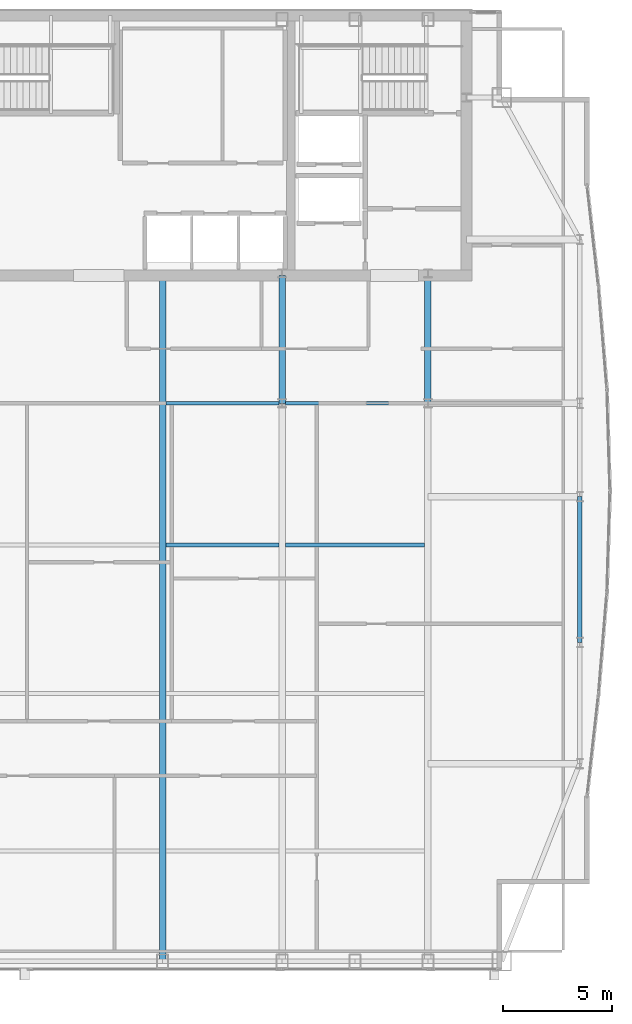
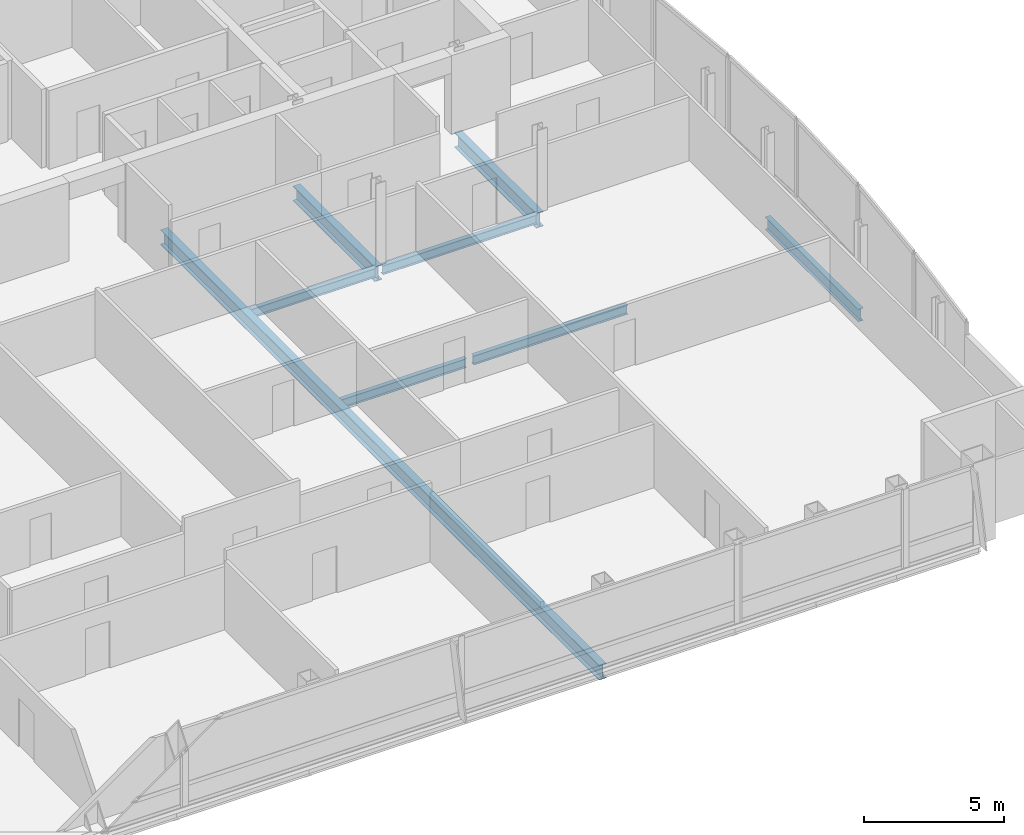
# One storey, part 14 of 25: 8 beams.
"""IFC4 building model written with IfcOpenShell, lengths in metres."""

from ifc_helpers import new_model, si_unit, direction, frame, origin, origin_2d, place, context, subcontext, project, spatial, i_section, extrude, material, material_profile, profile_set, type_object, element, save


model = new_model("IFC4")

# Units and contexts
model_context = context("Model", 3, precision=1e-05, world=origin(), true_north=direction((0.0, 1.0)))
body_context = subcontext(model_context, "Body", "Model", "MODEL_VIEW")
ifc_project = project(units=[si_unit("LENGTHUNIT", "METRE"), si_unit("AREAUNIT", "SQUARE_METRE"), si_unit("VOLUMEUNIT", "CUBIC_METRE"), si_unit("PLANEANGLEUNIT", "RADIAN"), si_unit("MASSUNIT", "GRAM", prefix="KILO")], contexts=[model_context])

# Site, building, storey
site_placement = place(None, origin())
site = spatial("IfcSite", under=ifc_project, at=site_placement, CompositionType="ELEMENT")
building_placement = place(site_placement, origin())
building = spatial("IfcBuilding", under=site, at=building_placement, Name="Khoronbel Lancet Exchange", CompositionType="ELEMENT")
storey_placement = place(building_placement, frame((0.0, 0.0, 295.0)))
storey = spatial("IfcBuildingStorey", under=building, at=storey_placement, Name="L76", CompositionType="ELEMENT", Elevation=295.0)

# Beams
ifc_material = material(Name="Steel S355", Category="steel")
ifc_material_profile_1 = material_profile(ifc_material, i_section(OverallWidth=0.300048828125, OverallDepth=0.64990234375, WebThickness=0.01611328125, FlangeThickness=0.031005859375, at=origin_2d()), Name="HEB 650")
ifc_profile_set_1 = profile_set([ifc_material_profile_1], Name="Steel S355")
beam_type_1 = type_object("IfcBeamType", Name="BM-BG4", PredefinedType="BEAM", material=ifc_profile_set_1)
beam_1_placement = place(storey_placement, frame((42.52490234375, 10.14990234375, -0.485107421875), z_axis=(0.0, 1.0, 0.0), x_axis=(-1.0, 0.0, 0.0)))
element("IfcBeam", 1, at=beam_1_placement, inside=storey, type_object=beam_type_1, Name="Level L76 primary floor girder G4", PredefinedType="BEAM", context=body_context, shape_type="SweptSolid", body=[
    extrude(i_section(OverallWidth=0.300048828125, OverallDepth=0.64990234375, WebThickness=0.01611328125, FlangeThickness=0.031005859375, at=origin_2d()), origin(), (0.0, 0.0, 1.0), 31.400146484375),
])
for number, where, z_axis, x_axis, name in (
    (2, (48.0, 35.699951171875, -0.485107421875), (0.0, 1.0, 0.0), (-1.0, 0.0, 0.0), "Level L76 spine tie girder GN5"),
    (3, (54.675048828125, 35.699951171875, -0.485107421875), (0.0, 1.0, 0.0), (-1.0, 0.0, 0.0), "Level L76 spine tie girder GN6"),
):
    element("IfcBeam", number, at=place(storey_placement, frame(where, z_axis=z_axis, x_axis=x_axis)), inside=storey, type_object=beam_type_1, Name=name, PredefinedType="BEAM", context=body_context, shape_type="SweptSolid", body=[
        extrude(i_section(OverallWidth=0.300048828125, OverallDepth=0.64990234375, WebThickness=0.01611328125, FlangeThickness=0.031005859375, at=origin_2d()), origin(), (0.0, 0.0, 1.0), 5.85009765625),
    ])
ifc_material_profile_2 = material_profile(ifc_material, i_section(OverallWidth=0.179931640625, OverallDepth=0.39990234375, WebThickness=0.008544921875, FlangeThickness=0.013427734375, at=origin_2d()), Name="IPE 400")
ifc_profile_set_2 = profile_set([ifc_material_profile_2], Name="Steel S355")
beam_type_2 = type_object("IfcBeamType", Name="BM-BJ5", PredefinedType="JOIST", material=ifc_profile_set_2)
beam_2_placement = place(storey_placement, frame((42.675048828125, 29.199951171875, -0.360107421875), z_axis=(1.0, 0.0, 0.0), x_axis=(0.0, 1.0, 0.0)))
element("IfcBeam", 4, at=beam_2_placement, inside=storey, type_object=beam_type_2, Name="Level L76 secondary composite joist J14", PredefinedType="JOIST", context=body_context, shape_type="SweptSolid", body=[
    extrude(i_section(OverallWidth=0.179931640625, OverallDepth=0.39990234375, WebThickness=0.008544921875, FlangeThickness=0.013427734375, at=origin_2d()), origin(), (0.0, 0.0, 1.0), 5.175048828125),
])
beam_3_placement = place(storey_placement, frame((48.14990234375, 29.199951171875, -0.360107421875), z_axis=(1.0, 0.0, 0.0), x_axis=(0.0, 1.0, 0.0)))
element("IfcBeam", 5, at=beam_3_placement, inside=storey, type_object=beam_type_2, Name="Level L76 secondary composite joist J15", PredefinedType="JOIST", context=body_context, shape_type="SweptSolid", body=[
    extrude(i_section(OverallWidth=0.179931640625, OverallDepth=0.39990234375, WebThickness=0.008544921875, FlangeThickness=0.013427734375, at=origin_2d()), origin(), (0.0, 0.0, 1.0), 6.375),
])
beam_4_placement = place(storey_placement, frame((42.675048828125, 35.699951171875, -0.360107421875), z_axis=(1.0, 0.0, 0.0), x_axis=(0.0, 1.0, 0.0)))
element("IfcBeam", 6, at=beam_4_placement, inside=storey, type_object=beam_type_2, Name="Level L76 secondary composite joist J19", PredefinedType="JOIST", context=body_context, shape_type="SweptSolid", body=[
    extrude(i_section(OverallWidth=0.179931640625, OverallDepth=0.39990234375, WebThickness=0.008544921875, FlangeThickness=0.013427734375, at=origin_2d()), origin(), (0.0, 0.0, 1.0), 5.175048828125),
])
beam_5_placement = place(storey_placement, frame((48.14990234375, 35.699951171875, -0.360107421875), z_axis=(1.0, 0.0, 0.0), x_axis=(0.0, 1.0, 0.0)))
element("IfcBeam", 7, at=beam_5_placement, inside=storey, type_object=beam_type_2, Name="Level L76 secondary composite joist J20", PredefinedType="JOIST", context=body_context, shape_type="SweptSolid", body=[
    extrude(i_section(OverallWidth=0.179931640625, OverallDepth=0.39990234375, WebThickness=0.008544921875, FlangeThickness=0.013427734375, at=origin_2d()), origin(), (0.0, 0.0, 1.0), 6.375),
])
ifc_material_profile_3 = material_profile(ifc_material, i_section(OverallWidth=0.2099609375, OverallDepth=0.550048828125, WebThickness=0.010986328125, FlangeThickness=0.01708984375, at=origin_2d()), Name="IPE 550")
ifc_profile_set_3 = profile_set([ifc_material_profile_3], Name="Steel S355")
beam_type_3 = type_object("IfcBeamType", Name="BM-BSP3", PredefinedType="SPANDREL", material=ifc_profile_set_3)
beam_6_placement = place(storey_placement, frame((61.6298828125, 24.75, -0.43505859375), z_axis=(0.0, 1.0, 0.0), x_axis=(-1.0, 0.0, 0.0)))
element("IfcBeam", 8, at=beam_6_placement, inside=storey, type_object=beam_type_3, Name="Level L76 perimeter spandrel beam SP12", PredefinedType="SPANDREL", context=body_context, shape_type="SweptSolid", body=[
    extrude(i_section(OverallWidth=0.2099609375, OverallDepth=0.550048828125, WebThickness=0.010986328125, FlangeThickness=0.01708984375, at=origin_2d()), origin(), (0.0, 0.0, 1.0), 6.675048828125),
])

save(model, "model.ifc")
